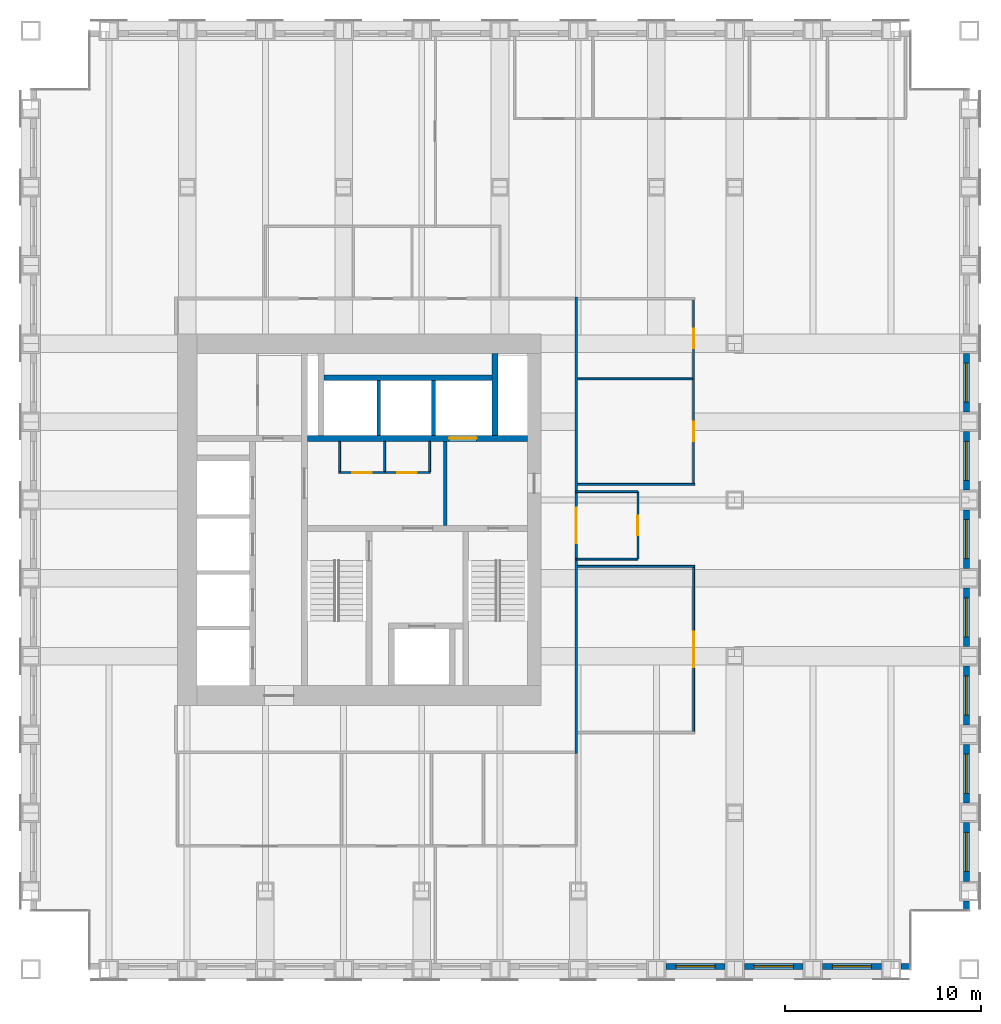
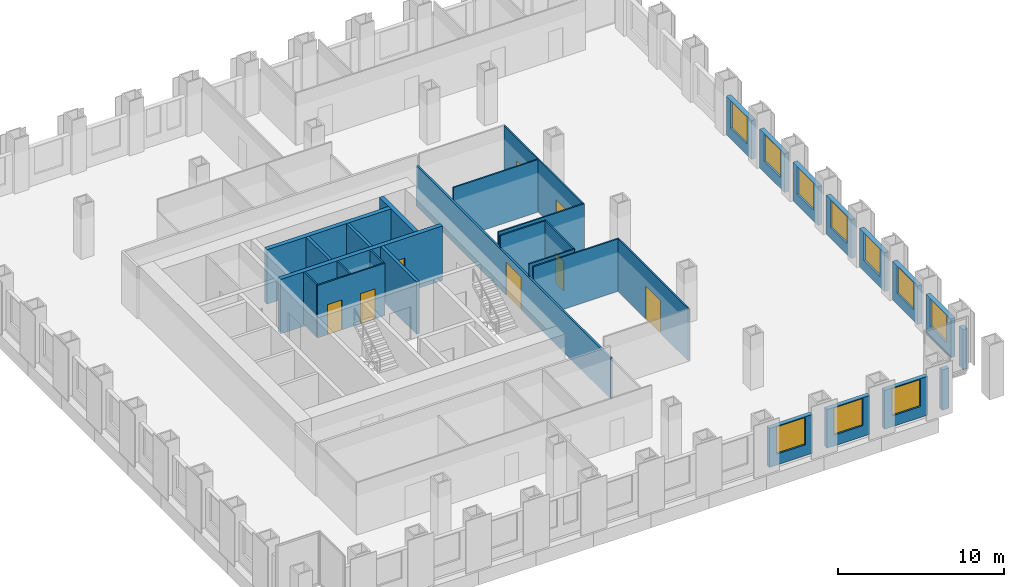
# One storey, part 12 of 15: 31 walls, 10 windows, 8 doors, 18 openings.
"""IFC4 building model written with IfcOpenShell, lengths in metres."""

from ifc_helpers import new_model, si_unit, direction, frame, frame_2d, origin, place, context, subcontext, project, spatial, rectangle, extrude, material, layer, layer_set, type_object, element, fill, save


model = new_model("IFC4")

# Units and contexts
model_context = context("Model", 3, precision=1e-05, world=origin(), true_north=direction((0.0, 1.0)))
body_context = subcontext(model_context, "Body", "Model", "MODEL_VIEW")
ifc_project = project(units=[si_unit("LENGTHUNIT", "METRE"), si_unit("AREAUNIT", "SQUARE_METRE"), si_unit("VOLUMEUNIT", "CUBIC_METRE"), si_unit("PLANEANGLEUNIT", "RADIAN"), si_unit("MASSUNIT", "GRAM", prefix="KILO")], contexts=[model_context])

# Site, building, storey
site_placement = place(None, origin())
site = spatial("IfcSite", under=ifc_project, at=site_placement, CompositionType="ELEMENT")
building_placement = place(site_placement, origin())
building = spatial("IfcBuilding", under=site, at=building_placement, Name="Rimbunsela Tower", CompositionType="ELEMENT")
storey_placement = place(building_placement, frame((0.0, 0.0, 113.39990234375)))
storey = spatial("IfcBuildingStorey", under=building, at=storey_placement, Name="L27", CompositionType="ELEMENT", Elevation=113.39990234375)

# Wall, opening, door
ifc_material_1 = material(Name="Concrete fc' 80 MPa", Category="concrete")
ifc_layer_1 = layer(ifc_material_1, 0.300048828125)
ifc_layer_set_1 = layer_set([ifc_layer_1], Name="Core internal wall 300")
wall_type_1 = type_object("IfcWallType", Name="Core internal wall 300", PredefinedType="SHEAR", material=ifc_layer_set_1)
wall_1_placement = place(storey_placement, frame((24.14990234375, 31.14990234375, -0.14990234375), z_axis=(0.0, 0.0, 1.0), x_axis=(1.0, 0.0, 0.0)))
wall_1 = element("IfcWall", 1, at=wall_1_placement, inside=storey, type_object=wall_type_1, Name="Lift shaft front north", PredefinedType="SHEAR", context=body_context, shape_type="SweptSolid", body=[
    extrude(rectangle(XDim=11.25, YDim=0.300048828125, at=frame_2d((5.625, 0.0))), origin(), (0.0, 0.0, 1.0), 4.0),
])
opening_1_placement = place(wall_1_placement, frame((7.25, 0.0, 0.14990234375)))
opening_1 = element("IfcOpeningElement", 2, at=opening_1_placement, cuts=wall_1, Name="Opening LD3", PredefinedType="OPENING", context=body_context, shape_type="SweptSolid", body=[
    extrude(rectangle(XDim=1.39990234375, YDim=2.39990234375, at=frame_2d((0.699951171875, 1.199951171875))), frame((0.0, 0.159912109375, 0.0), z_axis=(0.0, -1.0, 0.0), x_axis=(1.0, 0.0, 0.0)), (0.0, 0.0, 1.0), 0.320068359375),
])
ifc_material_2 = material(Name="Steel door, fire rated", Category="steel")
door_type_1 = type_object("IfcDoorType", Name="Lift landing door 1400", OperationType="DOUBLE_DOOR_SLIDING", PredefinedType="DOOR", material=ifc_material_2)
door_1_placement = place(opening_1_placement, origin())
door_1 = element("IfcDoor", 3, at=door_1_placement, inside=storey, type_object=door_type_1, Name="Lift landing door FL2", OperationType="DOUBLE_DOOR_SLIDING", OverallHeight=2.39990234375, OverallWidth=1.39990234375, PredefinedType="DOOR", context=body_context, shape_type="SweptSolid", body=[
    extrude(rectangle(XDim=1.39990234375, YDim=2.39990234375, at=frame_2d((0.699951171875, 1.199951171875))), frame((0.0, 0.02490234375, 0.0), z_axis=(0.0, -1.0, 0.0), x_axis=(1.0, 0.0, 0.0)), (0.0, 0.0, 1.0), 0.050048828125),
])
fill(opening_1, door_1)

# Walls
wall_2_placement = place(storey_placement, frame((33.75, 31.300048828125, -0.14990234375), z_axis=(0.0, 0.0, 1.0), x_axis=(0.0, 1.0, 0.0)))
element("IfcWall", 4, at=wall_2_placement, inside=storey, type_object=wall_type_1, Name="Riser wall", PredefinedType="SHEAR", context=body_context, shape_type="SweptSolid", body=[
    extrude(rectangle(XDim=4.199951171875, YDim=0.300048828125, at=frame_2d((2.10009765625, 0.0))), origin(), (0.0, 0.0, 1.0), 4.0),
])
wall_3_placement = place(storey_placement, frame((25.0, 34.25, -0.14990234375), z_axis=(0.0, 0.0, 1.0), x_axis=(1.0, 0.0, 0.0)))
element("IfcWall", 5, at=wall_3_placement, inside=storey, type_object=wall_type_1, Name="Lift shaft rear north", PredefinedType="SHEAR", context=body_context, shape_type="SweptSolid", body=[
    extrude(rectangle(XDim=8.60009765625, YDim=0.300048828125, at=frame_2d((4.300048828125, 0.0))), origin(), (0.0, 0.0, 1.0), 4.0),
])

# Wall, openings, doors
ifc_material_3 = material(Name="Concrete blockwork", Category="masonry")
ifc_layer_2 = layer(ifc_material_3, 0.10009765625)
ifc_layer_set_2 = layer_set([ifc_layer_2], Name="Core room partition 100")
wall_type_2 = type_object("IfcWallType", Name="Core room partition 100", PredefinedType="PARTITIONING", material=ifc_layer_set_2)
wall_4_placement = place(storey_placement, frame((25.75, 29.39990234375, 0.0), z_axis=(0.0, 0.0, 1.0), x_axis=(1.0, 0.0, 0.0)))
wall_4 = element("IfcWall", 6, at=wall_4_placement, inside=storey, type_object=wall_type_2, Name="Lobby room wall", PredefinedType="PARTITIONING", context=body_context, shape_type="SweptSolid", body=[
    extrude(rectangle(XDim=4.699951171875, YDim=0.10009765625, at=frame_2d((2.35009765625, 0.0))), origin(), (0.0, 0.0, 1.0), 3.85009765625),
])
opening_2_placement = place(wall_4_placement, frame((0.699951171875, 0.0, 0.0)))
opening_2 = element("IfcOpeningElement", 7, at=opening_2_placement, cuts=wall_4, Name="Opening D19", PredefinedType="OPENING", context=body_context, shape_type="SweptSolid", body=[
    extrude(rectangle(XDim=1.0, YDim=2.199951171875, at=frame_2d((0.5, 1.10009765625))), frame((0.0, 0.06005859375, 0.0), z_axis=(0.0, -1.0, 0.0), x_axis=(1.0, 0.0, 0.0)), (0.0, 0.0, 1.0), 0.1201171875),
])
opening_3_placement = place(wall_4_placement, frame((3.0, 0.0, 0.0)))
opening_3 = element("IfcOpeningElement", 8, at=opening_3_placement, cuts=wall_4, Name="Opening D19", PredefinedType="OPENING", context=body_context, shape_type="SweptSolid", body=[
    extrude(rectangle(XDim=1.0, YDim=2.199951171875, at=frame_2d((0.5, 1.10009765625))), frame((0.0, 0.06005859375, 0.0), z_axis=(0.0, -1.0, 0.0), x_axis=(1.0, 0.0, 0.0)), (0.0, 0.0, 1.0), 0.1201171875),
])
ifc_material_4 = material(Name="Steel door, fire rated", Category="steel")
door_type_2 = type_object("IfcDoorType", Name="Service door 1000 fire rated", OperationType="SINGLE_SWING_LEFT", PredefinedType="DOOR", material=ifc_material_4)
door_2_placement = place(opening_2_placement, origin())
door_2 = element("IfcDoor", 9, at=door_2_placement, inside=storey, type_object=door_type_2, Name="Facilities store door", OperationType="SINGLE_SWING_LEFT", OverallHeight=2.199951171875, OverallWidth=1.0, PredefinedType="DOOR", context=body_context, shape_type="SweptSolid", body=[
    extrude(rectangle(XDim=1.0, YDim=2.199951171875, at=frame_2d((0.5, 1.10009765625))), frame((0.0, 0.02490234375, 0.0), z_axis=(0.0, -1.0, 0.0), x_axis=(1.0, 0.0, 0.0)), (0.0, 0.0, 1.0), 0.050048828125),
])
fill(opening_2, door_2)
door_3_placement = place(opening_3_placement, origin())
door_3 = element("IfcDoor", 10, at=door_3_placement, inside=storey, type_object=door_type_2, Name="IT room door", OperationType="SINGLE_SWING_LEFT", OverallHeight=2.199951171875, OverallWidth=1.0, PredefinedType="DOOR", context=body_context, shape_type="SweptSolid", body=[
    extrude(rectangle(XDim=1.0, YDim=2.199951171875, at=frame_2d((0.5, 1.10009765625))), frame((0.0, 0.02490234375, 0.0), z_axis=(0.0, -1.0, 0.0), x_axis=(1.0, 0.0, 0.0)), (0.0, 0.0, 1.0), 0.050048828125),
])
fill(opening_3, door_3)

# Walls
for number, where, z_axis, x_axis, name in (
    (11, (25.800048828125, 29.449951171875, 0.0), (0.0, 0.0, 1.0), (0.0, 1.0, 0.0), "Lobby room wall"),
    (12, (30.39990234375, 29.449951171875, 0.0), (0.0, 0.0, 1.0), (0.0, 1.0, 0.0), "Lobby room wall"),
    (13, (28.10009765625, 29.449951171875, 0.0), (0.0, 0.0, 1.0), (0.0, 1.0, 0.0), "Lobby room wall"),
):
    element("IfcWall", number, at=place(storey_placement, frame(where, z_axis=z_axis, x_axis=x_axis)), inside=storey, type_object=wall_type_2, Name=name, PredefinedType="PARTITIONING", context=body_context, shape_type="SweptSolid", body=[
        extrude(rectangle(XDim=1.550048828125, YDim=0.10009765625, at=frame_2d((0.77490234375, 0.0))), origin(), (0.0, 0.0, 1.0), 3.85009765625),
    ])
ifc_material_5 = material(Name="Concrete blockwork", Category="masonry")
ifc_layer_3 = layer(ifc_material_5, 0.199951171875)
ifc_layer_set_3 = layer_set([ifc_layer_3], Name="Lift shaft wall 200")
wall_type_3 = type_object("IfcWallType", Name="Lift shaft wall 200", PredefinedType="SOLIDWALL", material=ifc_layer_set_3)
for number, where, z_axis, x_axis, name in (
    (14, (27.800048828125, 31.300048828125, -0.14990234375), (0.0, 0.0, 1.0), (0.0, 1.0, 0.0), "Lift shaft separation"),
    (15, (30.60009765625, 31.300048828125, -0.14990234375), (0.0, 0.0, 1.0), (0.0, 1.0, 0.0), "Lift shaft separation"),
):
    element("IfcWall", number, at=place(storey_placement, frame(where, z_axis=z_axis, x_axis=x_axis)), inside=storey, type_object=wall_type_3, Name=name, PredefinedType="SOLIDWALL", context=body_context, shape_type="SweptSolid", body=[
        extrude(rectangle(XDim=2.800048828125, YDim=0.199951171875, at=frame_2d((1.39990234375, 0.0))), origin(), (0.0, 0.0, 1.0), 4.0),
    ])
wall_5_placement = place(storey_placement, frame((31.199951171875, 26.699951171875, 0.0), z_axis=(0.0, 0.0, 1.0), x_axis=(0.0, 1.0, 0.0)))
element("IfcWall", 16, at=wall_5_placement, inside=storey, type_object=wall_type_3, Name="Firefighting lobby 2 wall", PredefinedType="SOLIDWALL", context=body_context, shape_type="SweptSolid", body=[
    extrude(rectangle(XDim=4.300048828125, YDim=0.199951171875, at=frame_2d((2.14990234375, 0.0))), origin(), (0.0, 0.0, 1.0), 3.85009765625),
])
ifc_material_6 = material(Name="Gypsum board on steel studs", Category="steel")
ifc_layer_4 = layer(ifc_material_6, 0.10009765625)
ifc_layer_set_4 = layer_set([ifc_layer_4], Name="Office partition 100")
wall_type_4 = type_object("IfcWallType", Name="Office partition 100", PredefinedType="PARTITIONING", material=ifc_layer_set_4)
for number, where, z_axis, x_axis, name in (
    (17, (37.97509765625, 24.60009765625, 0.0), (0.0, 0.0, 1.0), (1.0, 0.0, 0.0), "Office partition"),
    (18, (37.97509765625, 28.800048828125, 0.0), (0.0, 0.0, 1.0), (1.0, 0.0, 0.0), "Office partition"),
):
    element("IfcWall", number, at=place(storey_placement, frame(where, z_axis=z_axis, x_axis=x_axis)), inside=storey, type_object=wall_type_4, Name=name, PredefinedType="PARTITIONING", context=body_context, shape_type="SweptSolid", body=[
        extrude(rectangle(XDim=5.974853515625, YDim=0.10009765625, at=frame_2d((2.9873046875, 0.0))), origin(), (0.0, 0.0, 1.0), 3.85009765625),
    ])
wall_6_placement = place(storey_placement, frame((37.97509765625, 34.199951171875, 0.0), z_axis=(0.0, 0.0, 1.0), x_axis=(1.0, 0.0, 0.0)))
element("IfcWall", 19, at=wall_6_placement, inside=storey, type_object=wall_type_4, Name="Office partition", PredefinedType="PARTITIONING", context=body_context, shape_type="SweptSolid", body=[
    extrude(rectangle(XDim=5.875, YDim=0.10009765625, at=frame_2d((2.9375, 0.0))), origin(), (0.0, 0.0, 1.0), 3.85009765625),
])

# Wall, opening, door
wall_7_placement = place(storey_placement, frame((43.89990234375, 16.14990234375, 0.0), z_axis=(0.0, 0.0, 1.0), x_axis=(0.0, 1.0, 0.0)))
wall_7 = element("IfcWall", 20, at=wall_7_placement, inside=storey, type_object=wall_type_4, Name="Office partition", PredefinedType="PARTITIONING", context=body_context, shape_type="SweptSolid", body=[
    extrude(rectangle(XDim=8.400146484375, YDim=0.10009765625, at=frame_2d((4.2001953125, 0.0))), origin(), (0.0, 0.0, 1.0), 3.85009765625),
])
opening_4_placement = place(wall_7_placement, frame((3.300048828125, 0.0, 0.0)))
opening_4 = element("IfcOpeningElement", 21, at=opening_4_placement, cuts=wall_7, Name="Opening D18", PredefinedType="OPENING", context=body_context, shape_type="SweptSolid", body=[
    extrude(rectangle(XDim=1.800048828125, YDim=2.39990234375, at=frame_2d((0.89990234375, 1.199951171875))), frame((0.0, 0.06005859375, 0.0), z_axis=(0.0, -1.0, 0.0), x_axis=(1.0, 0.0, 0.0)), (0.0, 0.0, 1.0), 0.1201171875),
])
ifc_material_7 = material(Name="Glazed aluminium door", Category="aluminium")
door_type_3 = type_object("IfcDoorType", Name="Boardroom door 1800 glazed", OperationType="DOUBLE_DOOR_DOUBLE_SWING", PredefinedType="DOOR", material=ifc_material_7)
door_4_placement = place(opening_4_placement, origin())
door_4 = element("IfcDoor", 22, at=door_4_placement, inside=storey, type_object=door_type_3, Name="Boardroom door", OperationType="DOUBLE_DOOR_DOUBLE_SWING", OverallHeight=2.39990234375, OverallWidth=1.800048828125, PredefinedType="DOOR", context=body_context, shape_type="SweptSolid", body=[
    extrude(rectangle(XDim=1.800048828125, YDim=2.39990234375, at=frame_2d((0.89990234375, 1.199951171875))), frame((0.0, 0.02490234375, 0.0), z_axis=(0.0, -1.0, 0.0), x_axis=(1.0, 0.0, 0.0)), (0.0, 0.0, 1.0), 0.050048828125),
])
fill(opening_4, door_4)

# Wall, openings, doors
wall_8_placement = place(storey_placement, frame((43.89990234375, 28.85009765625, 0.0), z_axis=(0.0, 0.0, 1.0), x_axis=(0.0, 1.0, 0.0)))
wall_8 = element("IfcWall", 23, at=wall_8_placement, inside=storey, type_object=wall_type_4, Name="Office partition", PredefinedType="PARTITIONING", context=body_context, shape_type="SweptSolid", body=[
    extrude(rectangle(XDim=9.39990234375, YDim=0.10009765625, at=frame_2d((4.699951171875, 0.0))), origin(), (0.0, 0.0, 1.0), 3.85009765625),
])
opening_5_placement = place(wall_8_placement, frame((2.14990234375, 0.0, 0.0)))
opening_5 = element("IfcOpeningElement", 24, at=opening_5_placement, cuts=wall_8, Name="Opening D17", PredefinedType="OPENING", context=body_context, shape_type="SweptSolid", body=[
    extrude(rectangle(XDim=1.0, YDim=2.199951171875, at=frame_2d((0.5, 1.10009765625))), frame((0.0, 0.06005859375, 0.0), z_axis=(0.0, -1.0, 0.0), x_axis=(1.0, 0.0, 0.0)), (0.0, 0.0, 1.0), 0.1201171875),
])
opening_6_placement = place(wall_8_placement, frame((6.89990234375, 0.0, 0.0)))
opening_6 = element("IfcOpeningElement", 25, at=opening_6_placement, cuts=wall_8, Name="Opening D16", PredefinedType="OPENING", context=body_context, shape_type="SweptSolid", body=[
    extrude(rectangle(XDim=1.0, YDim=2.199951171875, at=frame_2d((0.5, 1.10009765625))), frame((0.0, 0.06005859375, 0.0), z_axis=(0.0, -1.0, 0.0), x_axis=(1.0, 0.0, 0.0)), (0.0, 0.0, 1.0), 0.1201171875),
])
ifc_material_8 = material(Name="Glazed aluminium door", Category="aluminium")
door_type_4 = type_object("IfcDoorType", Name="Meeting room door 1000 glazed", OperationType="SINGLE_SWING_RIGHT", PredefinedType="DOOR", material=ifc_material_8)
door_5_placement = place(opening_5_placement, origin())
door_5 = element("IfcDoor", 26, at=door_5_placement, inside=storey, type_object=door_type_4, Name="Meeting room door", OperationType="SINGLE_SWING_RIGHT", OverallHeight=2.199951171875, OverallWidth=1.0, PredefinedType="DOOR", context=body_context, shape_type="SweptSolid", body=[
    extrude(rectangle(XDim=1.0, YDim=2.199951171875, at=frame_2d((0.5, 1.10009765625))), frame((0.0, 0.02490234375, 0.0), z_axis=(0.0, -1.0, 0.0), x_axis=(1.0, 0.0, 0.0)), (0.0, 0.0, 1.0), 0.050048828125),
])
fill(opening_5, door_5)
ifc_material_9 = material(Name="Timber door", Category="wood")
door_type_5 = type_object("IfcDoorType", Name="Office door 1000", OperationType="SINGLE_SWING_LEFT", PredefinedType="DOOR", material=ifc_material_9)
door_6_placement = place(opening_6_placement, origin())
door_6 = element("IfcDoor", 27, at=door_6_placement, inside=storey, type_object=door_type_5, Name="Office door", OperationType="SINGLE_SWING_LEFT", OverallHeight=2.199951171875, OverallWidth=1.0, PredefinedType="DOOR", context=body_context, shape_type="SweptSolid", body=[
    extrude(rectangle(XDim=1.0, YDim=2.199951171875, at=frame_2d((0.5, 1.10009765625))), frame((0.0, 0.02490234375, 0.0), z_axis=(0.0, -1.0, 0.0), x_axis=(1.0, 0.0, 0.0)), (0.0, 0.0, 1.0), 0.050048828125),
])
fill(opening_6, door_6)

# Wall
wall_9_placement = place(storey_placement, frame((37.89990234375, 24.97509765625, 0.0), z_axis=(0.0, 0.0, 1.0), x_axis=(1.0, 0.0, 0.0)))
element("IfcWall", 28, at=wall_9_placement, inside=storey, type_object=wall_type_4, Name="Office partition", PredefinedType="PARTITIONING", context=body_context, shape_type="SweptSolid", body=[
    extrude(rectangle(XDim=3.150146484375, YDim=0.10009765625, at=frame_2d((1.5751953125, 0.0))), origin(), (0.0, 0.0, 1.0), 3.85009765625),
])

# Wall, opening, door
wall_10_placement = place(storey_placement, frame((41.050048828125, 24.97509765625, 0.0), z_axis=(0.0, 0.0, 1.0), x_axis=(0.0, 1.0, 0.0)))
wall_10 = element("IfcWall", 29, at=wall_10_placement, inside=storey, type_object=wall_type_4, Name="Office partition", PredefinedType="PARTITIONING", context=body_context, shape_type="SweptSolid", body=[
    extrude(rectangle(XDim=3.449951171875, YDim=0.10009765625, at=frame_2d((1.72509765625, 0.0))), origin(), (0.0, 0.0, 1.0), 3.85009765625),
])
opening_7_placement = place(wall_10_placement, frame((1.22509765625, 0.0, 0.0)))
opening_7 = element("IfcOpeningElement", 30, at=opening_7_placement, cuts=wall_10, Name="Opening D17", PredefinedType="OPENING", context=body_context, shape_type="SweptSolid", body=[
    extrude(rectangle(XDim=1.0, YDim=2.199951171875, at=frame_2d((0.5, 1.10009765625))), frame((0.0, 0.06005859375, 0.0), z_axis=(0.0, -1.0, 0.0), x_axis=(1.0, 0.0, 0.0)), (0.0, 0.0, 1.0), 0.1201171875),
])
door_7_placement = place(opening_7_placement, origin())
door_7 = element("IfcDoor", 31, at=door_7_placement, inside=storey, type_object=door_type_4, Name="Reception door", OperationType="SINGLE_SWING_RIGHT", OverallHeight=2.199951171875, OverallWidth=1.0, PredefinedType="DOOR", context=body_context, shape_type="SweptSolid", body=[
    extrude(rectangle(XDim=1.0, YDim=2.199951171875, at=frame_2d((0.5, 1.10009765625))), frame((0.0, 0.02490234375, 0.0), z_axis=(0.0, -1.0, 0.0), x_axis=(1.0, 0.0, 0.0)), (0.0, 0.0, 1.0), 0.050048828125),
])
fill(opening_7, door_7)

# Wall
wall_11_placement = place(storey_placement, frame((41.050048828125, 28.425048828125, 0.0), z_axis=(0.0, 0.0, 1.0), x_axis=(-1.0, 0.0, 0.0)))
element("IfcWall", 32, at=wall_11_placement, inside=storey, type_object=wall_type_4, Name="Office partition", PredefinedType="PARTITIONING", context=body_context, shape_type="SweptSolid", body=[
    extrude(rectangle(XDim=3.150146484375, YDim=0.10009765625, at=frame_2d((1.5751953125, 0.0))), origin(), (0.0, 0.0, 1.0), 3.85009765625),
])

# Wall, opening, window
ifc_material_10 = material(Name="Precast concrete fc' 35 MPa", Category="concrete")
ifc_layer_5 = layer(ifc_material_10, 0.300048828125)
ifc_layer_set_5 = layer_set([ifc_layer_5], Name="Precast concrete fc' 35 MPa")
wall_type_5 = type_object("IfcWallType", Name="Precast facade panel 300", PredefinedType="ELEMENTEDWALL", material=ifc_layer_set_5)
wall_12_placement = place(storey_placement, frame((42.5, 4.14990234375, 0.0), z_axis=(0.0, 0.0, 1.0), x_axis=(1.0, 0.0, 0.0)))
wall_12 = element("IfcWall", 33, at=wall_12_placement, inside=storey, type_object=wall_type_5, Name="Facade panel S L27", PredefinedType="ELEMENTEDWALL", context=body_context, shape_type="SweptSolid", body=[
    extrude(rectangle(XDim=3.0, YDim=0.300048828125, at=frame_2d((1.5, 0.0))), origin(), (0.0, 0.0, 1.0), 2.85009765625),
])
opening_8_placement = place(wall_12_placement, frame((0.5, 0.0, 0.800048828125)))
opening_8 = element("IfcOpeningElement", 34, at=opening_8_placement, cuts=wall_12, Name="Opening W1", PredefinedType="OPENING", context=body_context, shape_type="SweptSolid", body=[
    extrude(rectangle(XDim=2.0, YDim=2.0, at=frame_2d((1.0, 1.0))), frame((0.0, 0.159912109375, 0.0), z_axis=(0.0, -1.0, 0.0), x_axis=(1.0, 0.0, 0.0)), (0.0, 0.0, 1.0), 0.320068359375),
])
ifc_material_11 = material(Name="Clear glass in aluminium frame", Category="aluminium")
window_type = type_object("IfcWindowType", Name="Window W1 2000x2000", PartitioningType="DOUBLE_PANEL_VERTICAL", PredefinedType="WINDOW", material=ifc_material_11)
window_1_placement = place(opening_8_placement, origin())
window_1 = element("IfcWindow", 35, at=window_1_placement, inside=storey, type_object=window_type, Name="Window L27", OverallHeight=2.0, OverallWidth=2.0, PartitioningType="SINGLE_PANEL", PredefinedType="WINDOW", context=body_context, shape_type="SweptSolid", body=[
    extrude(rectangle(XDim=2.0, YDim=2.0, at=frame_2d((1.0, 1.0))), frame((0.0, 0.030029296875, 0.0), z_axis=(0.0, -1.0, 0.0), x_axis=(1.0, 0.0, 0.0)), (0.0, 0.0, 1.0), 0.06005859375),
])
fill(opening_8, window_1)

wall_13_placement = place(storey_placement, frame((46.5, 4.14990234375, 0.0), z_axis=(0.0, 0.0, 1.0), x_axis=(1.0, 0.0, 0.0)))
wall_13 = element("IfcWall", 36, at=wall_13_placement, inside=storey, type_object=wall_type_5, Name="Facade panel S L27", PredefinedType="ELEMENTEDWALL", context=body_context, shape_type="SweptSolid", body=[
    extrude(rectangle(XDim=3.0, YDim=0.300048828125, at=frame_2d((1.5, 0.0))), origin(), (0.0, 0.0, 1.0), 2.85009765625),
])
opening_9_placement = place(wall_13_placement, frame((0.5, 0.0, 0.800048828125)))
opening_9 = element("IfcOpeningElement", 37, at=opening_9_placement, cuts=wall_13, Name="Opening W1", PredefinedType="OPENING", context=body_context, shape_type="SweptSolid", body=[
    extrude(rectangle(XDim=2.0, YDim=2.0, at=frame_2d((1.0, 1.0))), frame((0.0, 0.159912109375, 0.0), z_axis=(0.0, -1.0, 0.0), x_axis=(1.0, 0.0, 0.0)), (0.0, 0.0, 1.0), 0.320068359375),
])
window_2_placement = place(opening_9_placement, origin())
window_2 = element("IfcWindow", 38, at=window_2_placement, inside=storey, type_object=window_type, Name="Window L27", OverallHeight=2.0, OverallWidth=2.0, PartitioningType="SINGLE_PANEL", PredefinedType="WINDOW", context=body_context, shape_type="SweptSolid", body=[
    extrude(rectangle(XDim=2.0, YDim=2.0, at=frame_2d((1.0, 1.0))), frame((0.0, 0.030029296875, 0.0), z_axis=(0.0, -1.0, 0.0), x_axis=(1.0, 0.0, 0.0)), (0.0, 0.0, 1.0), 0.06005859375),
])
fill(opening_9, window_2)

wall_14_placement = place(storey_placement, frame((50.5, 4.14990234375, 0.0), z_axis=(0.0, 0.0, 1.0), x_axis=(1.0, 0.0, 0.0)))
wall_14 = element("IfcWall", 39, at=wall_14_placement, inside=storey, type_object=wall_type_5, Name="Facade panel S L27", PredefinedType="ELEMENTEDWALL", context=body_context, shape_type="SweptSolid", body=[
    extrude(rectangle(XDim=3.0, YDim=0.300048828125, at=frame_2d((1.5, 0.0))), origin(), (0.0, 0.0, 1.0), 2.85009765625),
])
opening_10_placement = place(wall_14_placement, frame((0.5, 0.0, 0.800048828125)))
opening_10 = element("IfcOpeningElement", 40, at=opening_10_placement, cuts=wall_14, Name="Opening W1", PredefinedType="OPENING", context=body_context, shape_type="SweptSolid", body=[
    extrude(rectangle(XDim=2.0, YDim=2.0, at=frame_2d((1.0, 1.0))), frame((0.0, 0.159912109375, 0.0), z_axis=(0.0, -1.0, 0.0), x_axis=(1.0, 0.0, 0.0)), (0.0, 0.0, 1.0), 0.320068359375),
])
window_3_placement = place(opening_10_placement, origin())
window_3 = element("IfcWindow", 41, at=window_3_placement, inside=storey, type_object=window_type, Name="Window L27", OverallHeight=2.0, OverallWidth=2.0, PartitioningType="SINGLE_PANEL", PredefinedType="WINDOW", context=body_context, shape_type="SweptSolid", body=[
    extrude(rectangle(XDim=2.0, YDim=2.0, at=frame_2d((1.0, 1.0))), frame((0.0, 0.030029296875, 0.0), z_axis=(0.0, -1.0, 0.0), x_axis=(1.0, 0.0, 0.0)), (0.0, 0.0, 1.0), 0.06005859375),
])
fill(opening_10, window_3)

# Walls
for number, where, z_axis, x_axis, name in (
    (42, (54.5, 4.14990234375, 0.0), (0.0, 0.0, 1.0), (1.0, 0.0, 0.0), "Facade panel S L27"),
    (43, (57.85009765625, 7.030029296875, 0.0), (0.0, 0.0, 1.0), (0.0, 1.0, 0.0), "Facade panel E L27"),
):
    element("IfcWall", number, at=place(storey_placement, frame(where, z_axis=z_axis, x_axis=x_axis)), inside=storey, type_object=wall_type_5, Name=name, PredefinedType="ELEMENTEDWALL", context=body_context, shape_type="SweptSolid", body=[
        extrude(rectangle(XDim=0.469970703125, YDim=0.300048828125, at=frame_2d((0.23486328125, 0.0))), origin(), (0.0, 0.0, 1.0), 2.9501953125),
    ])

# Wall, opening, window
wall_15_placement = place(storey_placement, frame((57.85009765625, 8.5, 0.0), z_axis=(0.0, 0.0, 1.0), x_axis=(0.0, 1.0, 0.0)))
wall_15 = element("IfcWall", 44, at=wall_15_placement, inside=storey, type_object=wall_type_5, Name="Facade panel E L27", PredefinedType="ELEMENTEDWALL", context=body_context, shape_type="SweptSolid", body=[
    extrude(rectangle(XDim=3.0, YDim=0.300048828125, at=frame_2d((1.5, 0.0))), origin(), (0.0, 0.0, 1.0), 2.85009765625),
])
opening_11_placement = place(wall_15_placement, frame((0.5, 0.0, 0.800048828125)))
opening_11 = element("IfcOpeningElement", 45, at=opening_11_placement, cuts=wall_15, Name="Opening W1", PredefinedType="OPENING", context=body_context, shape_type="SweptSolid", body=[
    extrude(rectangle(XDim=2.0, YDim=2.0, at=frame_2d((1.0, 1.0))), frame((0.0, 0.159912109375, 0.0), z_axis=(0.0, -1.0, 0.0), x_axis=(1.0, 0.0, 0.0)), (0.0, 0.0, 1.0), 0.320068359375),
])
window_4_placement = place(opening_11_placement, origin())
window_4 = element("IfcWindow", 46, at=window_4_placement, inside=storey, type_object=window_type, Name="Window L27", OverallHeight=2.0, OverallWidth=2.0, PartitioningType="SINGLE_PANEL", PredefinedType="WINDOW", context=body_context, shape_type="SweptSolid", body=[
    extrude(rectangle(XDim=2.0, YDim=2.0, at=frame_2d((1.0, 1.0))), frame((0.0, 0.030029296875, 0.0), z_axis=(0.0, -1.0, 0.0), x_axis=(1.0, 0.0, 0.0)), (0.0, 0.0, 1.0), 0.06005859375),
])
fill(opening_11, window_4)

wall_16_placement = place(storey_placement, frame((57.85009765625, 12.5, 0.0), z_axis=(0.0, 0.0, 1.0), x_axis=(0.0, 1.0, 0.0)))
wall_16 = element("IfcWall", 47, at=wall_16_placement, inside=storey, type_object=wall_type_5, Name="Facade panel E L27", PredefinedType="ELEMENTEDWALL", context=body_context, shape_type="SweptSolid", body=[
    extrude(rectangle(XDim=3.0, YDim=0.300048828125, at=frame_2d((1.5, 0.0))), origin(), (0.0, 0.0, 1.0), 2.85009765625),
])
opening_12_placement = place(wall_16_placement, frame((0.5, 0.0, 0.800048828125)))
opening_12 = element("IfcOpeningElement", 48, at=opening_12_placement, cuts=wall_16, Name="Opening W1", PredefinedType="OPENING", context=body_context, shape_type="SweptSolid", body=[
    extrude(rectangle(XDim=2.0, YDim=2.0, at=frame_2d((1.0, 1.0))), frame((0.0, 0.159912109375, 0.0), z_axis=(0.0, -1.0, 0.0), x_axis=(1.0, 0.0, 0.0)), (0.0, 0.0, 1.0), 0.320068359375),
])
window_5_placement = place(opening_12_placement, origin())
window_5 = element("IfcWindow", 49, at=window_5_placement, inside=storey, type_object=window_type, Name="Window L27", OverallHeight=2.0, OverallWidth=2.0, PartitioningType="SINGLE_PANEL", PredefinedType="WINDOW", context=body_context, shape_type="SweptSolid", body=[
    extrude(rectangle(XDim=2.0, YDim=2.0, at=frame_2d((1.0, 1.0))), frame((0.0, 0.030029296875, 0.0), z_axis=(0.0, -1.0, 0.0), x_axis=(1.0, 0.0, 0.0)), (0.0, 0.0, 1.0), 0.06005859375),
])
fill(opening_12, window_5)

wall_17_placement = place(storey_placement, frame((57.85009765625, 16.5, 0.0), z_axis=(0.0, 0.0, 1.0), x_axis=(0.0, 1.0, 0.0)))
wall_17 = element("IfcWall", 50, at=wall_17_placement, inside=storey, type_object=wall_type_5, Name="Facade panel E L27", PredefinedType="ELEMENTEDWALL", context=body_context, shape_type="SweptSolid", body=[
    extrude(rectangle(XDim=3.0, YDim=0.300048828125, at=frame_2d((1.5, 0.0))), origin(), (0.0, 0.0, 1.0), 2.85009765625),
])
opening_13_placement = place(wall_17_placement, frame((0.5, 0.0, 0.800048828125)))
opening_13 = element("IfcOpeningElement", 51, at=opening_13_placement, cuts=wall_17, Name="Opening W1", PredefinedType="OPENING", context=body_context, shape_type="SweptSolid", body=[
    extrude(rectangle(XDim=2.0, YDim=2.0, at=frame_2d((1.0, 1.0))), frame((0.0, 0.159912109375, 0.0), z_axis=(0.0, -1.0, 0.0), x_axis=(1.0, 0.0, 0.0)), (0.0, 0.0, 1.0), 0.320068359375),
])
window_6_placement = place(opening_13_placement, origin())
window_6 = element("IfcWindow", 52, at=window_6_placement, inside=storey, type_object=window_type, Name="Window L27", OverallHeight=2.0, OverallWidth=2.0, PartitioningType="SINGLE_PANEL", PredefinedType="WINDOW", context=body_context, shape_type="SweptSolid", body=[
    extrude(rectangle(XDim=2.0, YDim=2.0, at=frame_2d((1.0, 1.0))), frame((0.0, 0.030029296875, 0.0), z_axis=(0.0, -1.0, 0.0), x_axis=(1.0, 0.0, 0.0)), (0.0, 0.0, 1.0), 0.06005859375),
])
fill(opening_13, window_6)

wall_18_placement = place(storey_placement, frame((57.85009765625, 20.5, 0.0), z_axis=(0.0, 0.0, 1.0), x_axis=(0.0, 1.0, 0.0)))
wall_18 = element("IfcWall", 53, at=wall_18_placement, inside=storey, type_object=wall_type_5, Name="Facade panel E L27", PredefinedType="ELEMENTEDWALL", context=body_context, shape_type="SweptSolid", body=[
    extrude(rectangle(XDim=3.0, YDim=0.300048828125, at=frame_2d((1.5, 0.0))), origin(), (0.0, 0.0, 1.0), 2.85009765625),
])
opening_14_placement = place(wall_18_placement, frame((0.5, 0.0, 0.800048828125)))
opening_14 = element("IfcOpeningElement", 54, at=opening_14_placement, cuts=wall_18, Name="Opening W1", PredefinedType="OPENING", context=body_context, shape_type="SweptSolid", body=[
    extrude(rectangle(XDim=2.0, YDim=2.0, at=frame_2d((1.0, 1.0))), frame((0.0, 0.159912109375, 0.0), z_axis=(0.0, -1.0, 0.0), x_axis=(1.0, 0.0, 0.0)), (0.0, 0.0, 1.0), 0.320068359375),
])
window_7_placement = place(opening_14_placement, origin())
window_7 = element("IfcWindow", 55, at=window_7_placement, inside=storey, type_object=window_type, Name="Window L27", OverallHeight=2.0, OverallWidth=2.0, PartitioningType="SINGLE_PANEL", PredefinedType="WINDOW", context=body_context, shape_type="SweptSolid", body=[
    extrude(rectangle(XDim=2.0, YDim=2.0, at=frame_2d((1.0, 1.0))), frame((0.0, 0.030029296875, 0.0), z_axis=(0.0, -1.0, 0.0), x_axis=(1.0, 0.0, 0.0)), (0.0, 0.0, 1.0), 0.06005859375),
])
fill(opening_14, window_7)

wall_19_placement = place(storey_placement, frame((57.85009765625, 24.5, 0.0), z_axis=(0.0, 0.0, 1.0), x_axis=(0.0, 1.0, 0.0)))
wall_19 = element("IfcWall", 56, at=wall_19_placement, inside=storey, type_object=wall_type_5, Name="Facade panel E L27", PredefinedType="ELEMENTEDWALL", context=body_context, shape_type="SweptSolid", body=[
    extrude(rectangle(XDim=3.0, YDim=0.300048828125, at=frame_2d((1.5, 0.0))), origin(), (0.0, 0.0, 1.0), 2.85009765625),
])
opening_15_placement = place(wall_19_placement, frame((0.5, 0.0, 0.800048828125)))
opening_15 = element("IfcOpeningElement", 57, at=opening_15_placement, cuts=wall_19, Name="Opening W1", PredefinedType="OPENING", context=body_context, shape_type="SweptSolid", body=[
    extrude(rectangle(XDim=2.0, YDim=2.0, at=frame_2d((1.0, 1.0))), frame((0.0, 0.159912109375, 0.0), z_axis=(0.0, -1.0, 0.0), x_axis=(1.0, 0.0, 0.0)), (0.0, 0.0, 1.0), 0.320068359375),
])
window_8_placement = place(opening_15_placement, origin())
window_8 = element("IfcWindow", 58, at=window_8_placement, inside=storey, type_object=window_type, Name="Window L27", OverallHeight=2.0, OverallWidth=2.0, PartitioningType="SINGLE_PANEL", PredefinedType="WINDOW", context=body_context, shape_type="SweptSolid", body=[
    extrude(rectangle(XDim=2.0, YDim=2.0, at=frame_2d((1.0, 1.0))), frame((0.0, 0.030029296875, 0.0), z_axis=(0.0, -1.0, 0.0), x_axis=(1.0, 0.0, 0.0)), (0.0, 0.0, 1.0), 0.06005859375),
])
fill(opening_15, window_8)

wall_20_placement = place(storey_placement, frame((57.85009765625, 28.5, 0.0), z_axis=(0.0, 0.0, 1.0), x_axis=(0.0, 1.0, 0.0)))
wall_20 = element("IfcWall", 59, at=wall_20_placement, inside=storey, type_object=wall_type_5, Name="Facade panel E L27", PredefinedType="ELEMENTEDWALL", context=body_context, shape_type="SweptSolid", body=[
    extrude(rectangle(XDim=3.0, YDim=0.300048828125, at=frame_2d((1.5, 0.0))), origin(), (0.0, 0.0, 1.0), 2.85009765625),
])
opening_16_placement = place(wall_20_placement, frame((0.5, 0.0, 0.800048828125)))
opening_16 = element("IfcOpeningElement", 60, at=opening_16_placement, cuts=wall_20, Name="Opening W1", PredefinedType="OPENING", context=body_context, shape_type="SweptSolid", body=[
    extrude(rectangle(XDim=2.0, YDim=2.0, at=frame_2d((1.0, 1.0))), frame((0.0, 0.159912109375, 0.0), z_axis=(0.0, -1.0, 0.0), x_axis=(1.0, 0.0, 0.0)), (0.0, 0.0, 1.0), 0.320068359375),
])
window_9_placement = place(opening_16_placement, origin())
window_9 = element("IfcWindow", 61, at=window_9_placement, inside=storey, type_object=window_type, Name="Window L27", OverallHeight=2.0, OverallWidth=2.0, PartitioningType="SINGLE_PANEL", PredefinedType="WINDOW", context=body_context, shape_type="SweptSolid", body=[
    extrude(rectangle(XDim=2.0, YDim=2.0, at=frame_2d((1.0, 1.0))), frame((0.0, 0.030029296875, 0.0), z_axis=(0.0, -1.0, 0.0), x_axis=(1.0, 0.0, 0.0)), (0.0, 0.0, 1.0), 0.06005859375),
])
fill(opening_16, window_9)

wall_21_placement = place(storey_placement, frame((57.85009765625, 32.5, 0.0), z_axis=(0.0, 0.0, 1.0), x_axis=(0.0, 1.0, 0.0)))
wall_21 = element("IfcWall", 62, at=wall_21_placement, inside=storey, type_object=wall_type_5, Name="Facade panel E L27", PredefinedType="ELEMENTEDWALL", context=body_context, shape_type="SweptSolid", body=[
    extrude(rectangle(XDim=3.0, YDim=0.300048828125, at=frame_2d((1.5, 0.0))), origin(), (0.0, 0.0, 1.0), 2.85009765625),
])
opening_17_placement = place(wall_21_placement, frame((0.5, 0.0, 0.800048828125)))
opening_17 = element("IfcOpeningElement", 63, at=opening_17_placement, cuts=wall_21, Name="Opening W1", PredefinedType="OPENING", context=body_context, shape_type="SweptSolid", body=[
    extrude(rectangle(XDim=2.0, YDim=2.0, at=frame_2d((1.0, 1.0))), frame((0.0, 0.159912109375, 0.0), z_axis=(0.0, -1.0, 0.0), x_axis=(1.0, 0.0, 0.0)), (0.0, 0.0, 1.0), 0.320068359375),
])
window_10_placement = place(opening_17_placement, origin())
window_10 = element("IfcWindow", 64, at=window_10_placement, inside=storey, type_object=window_type, Name="Window L27", OverallHeight=2.0, OverallWidth=2.0, PartitioningType="SINGLE_PANEL", PredefinedType="WINDOW", context=body_context, shape_type="SweptSolid", body=[
    extrude(rectangle(XDim=2.0, YDim=2.0, at=frame_2d((1.0, 1.0))), frame((0.0, 0.030029296875, 0.0), z_axis=(0.0, -1.0, 0.0), x_axis=(1.0, 0.0, 0.0)), (0.0, 0.0, 1.0), 0.06005859375),
])
fill(opening_17, window_10)

# Wall, opening, door
ifc_material_12 = material(Name="Fire-rated gypsum board on steel studs, EI 60", Category="steel")
ifc_layer_6 = layer(ifc_material_12, 0.14990234375)
ifc_layer_set_6 = layer_set([ifc_layer_6], Name="Rated corridor wall 150")
wall_type_6 = type_object("IfcWallType", Name="Rated corridor wall 150", PredefinedType="PARTITIONING", material=ifc_layer_set_6)
wall_22_placement = place(storey_placement, frame((37.89990234375, 15.02490234375, 0.0), z_axis=(0.0, 0.0, 1.0), x_axis=(0.0, 1.0, 0.0)))
wall_22 = element("IfcWall", 65, at=wall_22_placement, inside=storey, type_object=wall_type_6, Name="Corridor wall east", PredefinedType="PARTITIONING", context=body_context, shape_type="SweptSolid", body=[
    extrude(rectangle(XDim=23.35009765625, YDim=0.14990234375, at=frame_2d((11.675048828125, 0.0))), origin(), (0.0, 0.0, 1.0), 2.9501953125),
])
opening_18_placement = place(wall_22_placement, frame((10.77490234375, 0.0, 0.0)))
opening_18 = element("IfcOpeningElement", 66, at=opening_18_placement, cuts=wall_22, Name="Opening D09", PredefinedType="OPENING", context=body_context, shape_type="SweptSolid", body=[
    extrude(rectangle(XDim=1.800048828125, YDim=2.39990234375, at=frame_2d((0.89990234375, 1.199951171875))), frame((0.0, 0.0849609375, 0.0), z_axis=(0.0, -1.0, 0.0), x_axis=(1.0, 0.0, 0.0)), (0.0, 0.0, 1.0), 0.169921875),
])
ifc_material_13 = material(Name="Glazed aluminium door, fire rated", Category="aluminium")
door_type_6 = type_object("IfcDoorType", Name="Tenancy door 1800 glazed", OperationType="DOUBLE_DOOR_DOUBLE_SWING", PredefinedType="DOOR", material=ifc_material_13)
door_8_placement = place(opening_18_placement, origin())
door_8 = element("IfcDoor", 67, at=door_8_placement, inside=storey, type_object=door_type_6, Name="Tenancy door", OperationType="DOUBLE_DOOR_DOUBLE_SWING", OverallHeight=2.39990234375, OverallWidth=1.800048828125, PredefinedType="DOOR", context=body_context, shape_type="SweptSolid", body=[
    extrude(rectangle(XDim=1.800048828125, YDim=2.39990234375, at=frame_2d((0.89990234375, 1.199951171875))), frame((0.0, 0.02490234375, 0.0), z_axis=(0.0, -1.0, 0.0), x_axis=(1.0, 0.0, 0.0)), (0.0, 0.0, 1.0), 0.050048828125),
])
fill(opening_18, door_8)

save(model, "model.ifc")
